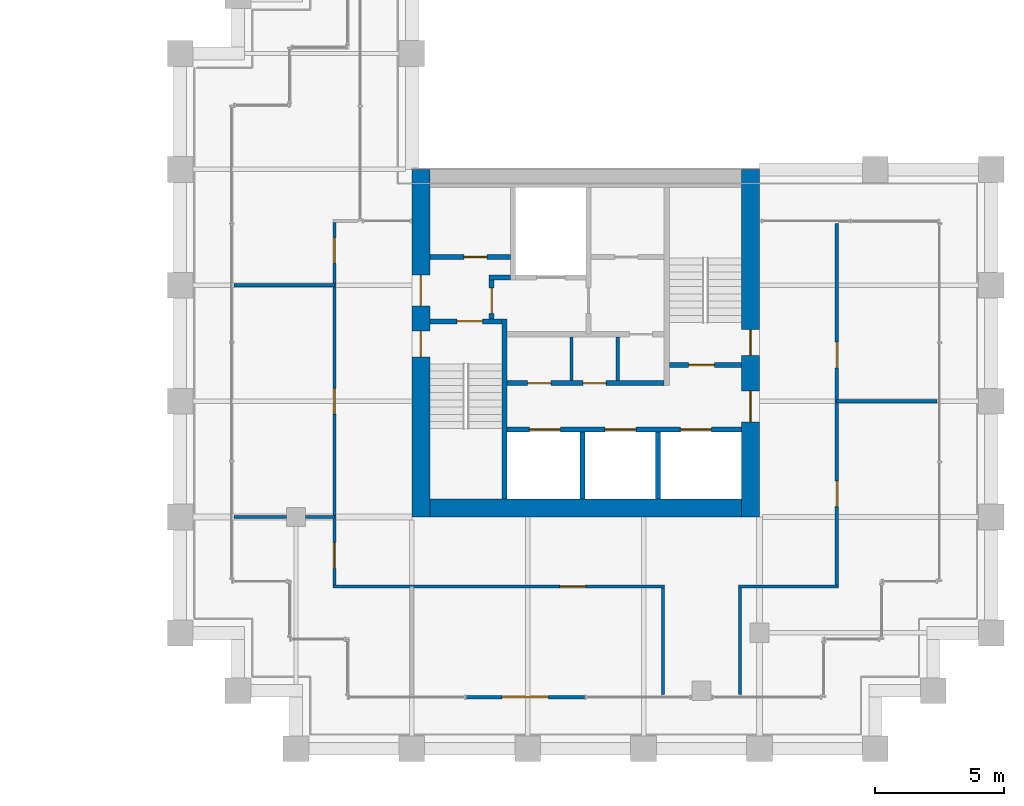
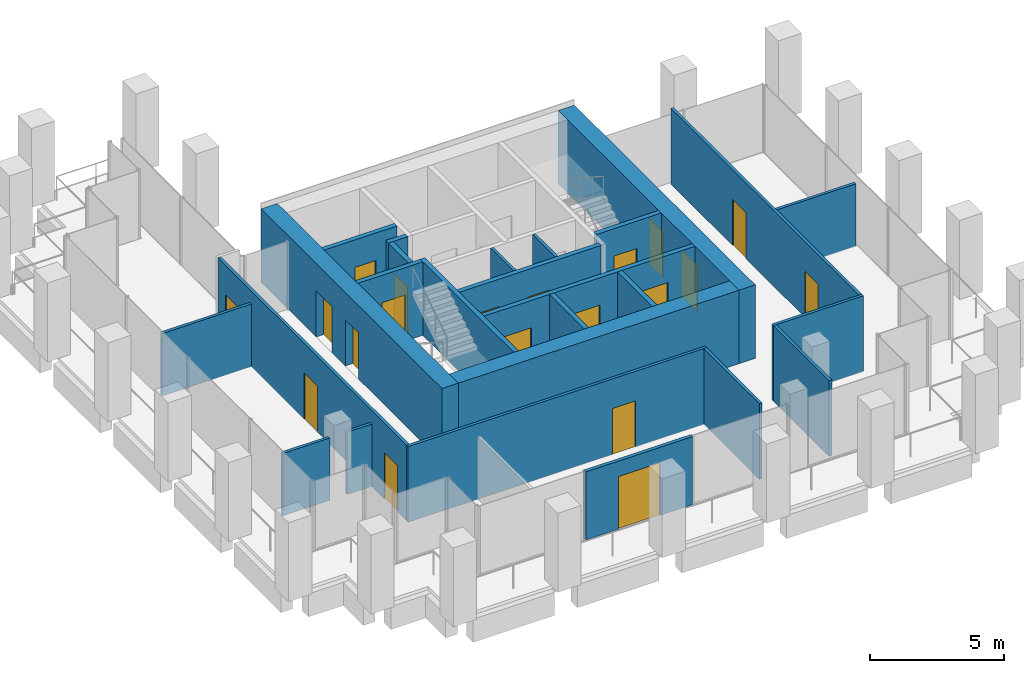
# One storey, part 43 of 46: 26 walls, 20 doors, 20 openings.
"""IFC4 building model written with IfcOpenShell, lengths in metres."""

from ifc_helpers import new_model, si_unit, direction, frame, frame_2d, origin, place, context, subcontext, project, spatial, rectangle, extrude, material, layer, layer_set, type_object, element, fill, save


model = new_model("IFC4")

# Units and contexts
model_context = context("Model", 3, precision=1e-05, world=origin(), true_north=direction((0.0, 1.0)))
body_context = subcontext(model_context, "Body", "Model", "MODEL_VIEW")
ifc_project = project(units=[si_unit("LENGTHUNIT", "METRE"), si_unit("AREAUNIT", "SQUARE_METRE"), si_unit("VOLUMEUNIT", "CUBIC_METRE"), si_unit("PLANEANGLEUNIT", "RADIAN"), si_unit("MASSUNIT", "GRAM", prefix="KILO")], contexts=[model_context])

# Site, building, storey
site_placement = place(None, origin())
site = spatial("IfcSite", under=ifc_project, at=site_placement, CompositionType="ELEMENT")
building_placement = place(site_placement, origin())
building = spatial("IfcBuilding", under=site, at=building_placement, Name="Altepetl Exchange Towers", CompositionType="ELEMENT")
storey_placement = place(building_placement, frame((0.0, 0.0, 131.60009765625)))
storey = spatial("IfcBuildingStorey", under=building, at=storey_placement, Name="L32", CompositionType="ELEMENT", Elevation=131.60009765625)

# Wall, openings, doors
ifc_material_1 = material(Name="Concrete C70/85", Category="concrete")
ifc_layer_1 = layer(ifc_material_1, 0.699951171875)
ifc_layer_set_1 = layer_set([ifc_layer_1], Name="Concrete C70/85")
wall_type_1 = type_object("IfcWallType", Name="Core wall 700 reinforced concrete", PredefinedType="SHEAR", material=ifc_layer_set_1)
wall_1_placement = place(storey_placement, frame((116.64990234375, 36.0, 0.0), z_axis=(0.0, 0.0, 1.0), x_axis=(0.0, 1.0, 0.0)))
wall_1 = element("IfcWall", 1, at=wall_1_placement, inside=storey, type_object=wall_type_1, Name="wall:B:L32:K-coreE", PredefinedType="SHEAR", context=body_context, shape_type="SweptSolid", body=[
    extrude(rectangle(XDim=13.5, YDim=0.699951171875, at=frame_2d((6.75, 0.0))), origin(), (0.0, 0.0, 1.0), 3.349853515625),
])
opening_1_placement = place(wall_1_placement, frame((3.699951171875, 0.0, 0.0)))
opening_1 = element("IfcOpeningElement", 2, at=opening_1_placement, cuts=wall_1, Name="Opening L32.B61", PredefinedType="OPENING", context=body_context, shape_type="SweptSolid", body=[
    extrude(rectangle(XDim=1.199951171875, YDim=2.10009765625, at=frame_2d((0.60009765625, 1.050048828125))), frame((0.0, 0.35986328125, 0.0), z_axis=(0.0, -1.0, 0.0), x_axis=(1.0, 0.0, 0.0)), (0.0, 0.0, 1.0), 0.719970703125),
])
opening_2_placement = place(wall_1_placement, frame((6.27490234375, 0.0, 0.0)))
opening_2 = element("IfcOpeningElement", 3, at=opening_2_placement, cuts=wall_1, Name="Opening L32.B65", PredefinedType="OPENING", context=body_context, shape_type="SweptSolid", body=[
    extrude(rectangle(XDim=1.0, YDim=2.10009765625, at=frame_2d((0.5, 1.050048828125))), frame((0.0, 0.35986328125, 0.0), z_axis=(0.0, -1.0, 0.0), x_axis=(1.0, 0.0, 0.0)), (0.0, 0.0, 1.0), 0.719970703125),
])
ifc_material_2 = material(Name="Steel and timber fire door", Category="steel")
door_type_1 = type_object("IfcDoorType", Name="Fire door 1000 x 2100 stair and lobby", OperationType="SINGLE_SWING_LEFT", PredefinedType="DOOR", material=ifc_material_2)
door_1_placement = place(opening_2_placement, origin())
door_1 = element("IfcDoor", 4, at=door_1_placement, inside=storey, type_object=door_type_1, Name="door:B:L32:K-dS2x", OperationType="SINGLE_SWING_LEFT", OverallHeight=2.10009765625, OverallWidth=1.0, PredefinedType="DOOR", context=body_context, shape_type="SweptSolid", body=[
    extrude(rectangle(XDim=1.0, YDim=2.10009765625, at=frame_2d((0.5, 1.050048828125))), frame((0.0, 0.02490234375, 0.0), z_axis=(0.0, -1.0, 0.0), x_axis=(1.0, 0.0, 0.0)), (0.0, 0.0, 1.0), 0.050048828125),
])
fill(opening_2, door_1)
door_type_2 = type_object("IfcDoorType", Name="Fire door 1200 x 2100 lobby entry", OperationType="SINGLE_SWING_LEFT", PredefinedType="DOOR", material=ifc_material_2)
door_2_placement = place(opening_1_placement, origin())
door_2 = element("IfcDoor", 5, at=door_2_placement, inside=storey, type_object=door_type_2, Name="door:B:L32:K-dLSE", OperationType="SINGLE_SWING_RIGHT", OverallHeight=2.10009765625, OverallWidth=1.199951171875, PredefinedType="DOOR", context=body_context, shape_type="SweptSolid", body=[
    extrude(rectangle(XDim=1.199951171875, YDim=2.10009765625, at=frame_2d((0.60009765625, 1.050048828125))), frame((0.0, 0.02490234375, 0.0), z_axis=(0.0, -1.0, 0.0), x_axis=(1.0, 0.0, 0.0)), (0.0, 0.0, 1.0), 0.050048828125),
])
fill(opening_1, door_2)

# Wall
wall_2_placement = place(storey_placement, frame((104.199951171875, 36.35009765625, 0.0)))
element("IfcWall", 6, at=wall_2_placement, inside=storey, type_object=wall_type_1, Name="wall:B:L32:K-coreS", PredefinedType="SHEAR", context=body_context, shape_type="SweptSolid", body=[
    extrude(rectangle(XDim=12.10009765625, YDim=0.699951171875, at=frame_2d((6.050048828125, 0.0))), origin(), (0.0, 0.0, 1.0), 3.349853515625),
])

# Wall, openings, doors
wall_3_placement = place(storey_placement, frame((103.85009765625, 36.0, 0.0), z_axis=(0.0, 0.0, 1.0), x_axis=(0.0, 1.0, 0.0)))
wall_3 = element("IfcWall", 7, at=wall_3_placement, inside=storey, type_object=wall_type_1, Name="wall:B:L32:K-coreW", PredefinedType="SHEAR", context=body_context, shape_type="SweptSolid", body=[
    extrude(rectangle(XDim=13.5, YDim=0.699951171875, at=frame_2d((6.75, 0.0))), origin(), (0.0, 0.0, 1.0), 3.349853515625),
])
opening_3_placement = place(wall_3_placement, frame((8.199951171875, 0.0, 0.0)))
opening_3 = element("IfcOpeningElement", 8, at=opening_3_placement, cuts=wall_3, Name="Opening L32.B60", PredefinedType="OPENING", context=body_context, shape_type="SweptSolid", body=[
    extrude(rectangle(XDim=1.199951171875, YDim=2.10009765625, at=frame_2d((0.60009765625, 1.050048828125))), frame((0.0, 0.35986328125, 0.0), z_axis=(0.0, -1.0, 0.0), x_axis=(1.0, 0.0, 0.0)), (0.0, 0.0, 1.0), 0.719970703125),
])
opening_4_placement = place(wall_3_placement, frame((6.22509765625, 0.0, 0.0)))
opening_4 = element("IfcOpeningElement", 9, at=opening_4_placement, cuts=wall_3, Name="Opening L32.B63", PredefinedType="OPENING", context=body_context, shape_type="SweptSolid", body=[
    extrude(rectangle(XDim=1.0, YDim=2.10009765625, at=frame_2d((0.5, 1.050048828125))), frame((0.0, 0.35986328125, 0.0), z_axis=(0.0, -1.0, 0.0), x_axis=(1.0, 0.0, 0.0)), (0.0, 0.0, 1.0), 0.719970703125),
])
door_3_placement = place(opening_4_placement, frame((1.0, 0.0, 0.0), x_axis=(-1.0, 0.0, 0.0)))
door_3 = element("IfcDoor", 10, at=door_3_placement, inside=storey, type_object=door_type_1, Name="door:B:L32:K-dS1x", OperationType="SINGLE_SWING_RIGHT", OverallHeight=2.10009765625, OverallWidth=1.0, PredefinedType="DOOR", context=body_context, shape_type="SweptSolid", body=[
    extrude(rectangle(XDim=1.0, YDim=2.10009765625, at=frame_2d((0.5, 1.050048828125))), frame((0.0, 0.02490234375, 0.0), z_axis=(0.0, -1.0, 0.0), x_axis=(1.0, 0.0, 0.0)), (0.0, 0.0, 1.0), 0.050048828125),
])
fill(opening_4, door_3)
door_4_placement = place(opening_3_placement, frame((1.199951171875, 0.0, 0.0), x_axis=(-1.0, 0.0, 0.0)))
door_4 = element("IfcDoor", 11, at=door_4_placement, inside=storey, type_object=door_type_2, Name="door:B:L32:K-dLNW", OperationType="SINGLE_SWING_RIGHT", OverallHeight=2.10009765625, OverallWidth=1.199951171875, PredefinedType="DOOR", context=body_context, shape_type="SweptSolid", body=[
    extrude(rectangle(XDim=1.199951171875, YDim=2.10009765625, at=frame_2d((0.60009765625, 1.050048828125))), frame((0.0, 0.02490234375, 0.0), z_axis=(0.0, -1.0, 0.0), x_axis=(1.0, 0.0, 0.0)), (0.0, 0.0, 1.0), 0.050048828125),
])
fill(opening_3, door_4)

# Wall, opening, door
ifc_material_3 = material(Name="Aluminium composite cladding", Category="aluminium")
ifc_layer_2 = layer(ifc_material_3, 0.14990234375)
ifc_layer_set_2 = layer_set([ifc_layer_2], Name="Aluminium composite cladding")
wall_type_2 = type_object("IfcWallType", Name="Infill wall 150 aluminium panel", PredefinedType="SOLIDWALL", material=ifc_layer_set_2)
wall_4_placement = place(storey_placement, frame((105.606201171875, 29.0, 0.0)))
wall_4 = element("IfcWall", 12, at=wall_4_placement, inside=storey, type_object=wall_type_2, Name="Loggia door bay wall", PredefinedType="SOLIDWALL", context=body_context, shape_type="SweptSolid", body=[
    extrude(rectangle(XDim=4.606201171875, YDim=0.14990234375, at=frame_2d((2.30322265625, 0.0))), origin(), (0.0, 0.0, 1.0), 3.099853515625),
])
opening_5_placement = place(wall_4_placement, frame((1.403076171875, 0.0, 0.0)))
opening_5 = element("IfcOpeningElement", 13, at=opening_5_placement, cuts=wall_4, Name="Opening L32.B90", PredefinedType="OPENING", context=body_context, shape_type="SweptSolid", body=[
    extrude(rectangle(XDim=1.800048828125, YDim=2.39990234375, at=frame_2d((0.89990234375, 1.199951171875))), frame((0.0, 0.0849609375, 0.0), z_axis=(0.0, -1.0, 0.0), x_axis=(1.0, 0.0, 0.0)), (0.0, 0.0, 1.0), 0.169921875),
])
ifc_material_4 = material(Name="Aluminium 6063-T6 and glass", Category="aluminium")
door_type_3 = type_object("IfcDoorType", Name="Glazed door pair 1800x2400", OperationType="DOUBLE_DOOR_DOUBLE_SWING", PredefinedType="NOTDEFINED", material=ifc_material_4)
door_5_placement = place(opening_5_placement, frame((1.800048828125, 0.0, 0.0), x_axis=(-1.0, 0.0, 0.0)))
door_5 = element("IfcDoor", 14, at=door_5_placement, inside=storey, type_object=door_type_3, Name="Loggia door", OperationType="DOUBLE_DOOR_DOUBLE_SWING", OverallHeight=2.39990234375, OverallWidth=1.800048828125, PredefinedType="NOTDEFINED", context=body_context, shape_type="SweptSolid", body=[
    extrude(rectangle(XDim=1.800048828125, YDim=2.39990234375, at=frame_2d((0.89990234375, 1.199951171875))), frame((0.0, 0.02490234375, 0.0), z_axis=(0.0, -1.0, 0.0), x_axis=(1.0, 0.0, 0.0)), (0.0, 0.0, 1.0), 0.050048828125),
])
fill(opening_5, door_5)

# Wall
ifc_material_5 = material(Name="Concrete blockwork", Category="masonry")
ifc_layer_3 = layer(ifc_material_5, 0.199951171875)
ifc_layer_set_3 = layer_set([ifc_layer_3], Name="Concrete blockwork")
wall_type_3 = type_object("IfcWallType", Name="Lobby wall 200 blockwork", PredefinedType="PARTITIONING", material=ifc_layer_set_3)
wall_5_placement = place(storey_placement, frame((106.5, 45.300048828125, 0.0)))
element("IfcWall", 15, at=wall_5_placement, inside=storey, type_object=wall_type_3, Name="wall:B:L32:K-ffNw", PredefinedType="PARTITIONING", context=body_context, shape_type="SweptSolid", body=[
    extrude(rectangle(XDim=0.833251953125, YDim=0.199951171875, at=frame_2d((0.41650390625, 0.0))), origin(), (0.0, 0.0, 1.0), 3.349853515625),
])

# Wall, opening, door
wall_6_placement = place(storey_placement, frame((106.60009765625, 43.699951171875, 0.0), z_axis=(0.0, 0.0, 1.0), x_axis=(0.0, 1.0, 0.0)))
wall_6 = element("IfcWall", 16, at=wall_6_placement, inside=storey, type_object=wall_type_3, Name="wall:B:L32:K-ffW", PredefinedType="PARTITIONING", context=body_context, shape_type="SweptSolid", body=[
    extrude(rectangle(XDim=1.5, YDim=0.199951171875, at=frame_2d((0.75, 0.0))), origin(), (0.0, 0.0, 1.0), 3.349853515625),
])
opening_6_placement = place(wall_6_placement, frame((0.199951171875, 0.0, 0.0)))
opening_6 = element("IfcOpeningElement", 17, at=opening_6_placement, cuts=wall_6, Name="Opening L32.B67", PredefinedType="OPENING", context=body_context, shape_type="SweptSolid", body=[
    extrude(rectangle(XDim=1.0, YDim=2.10009765625, at=frame_2d((0.5, 1.050048828125))), frame((0.0, 0.10986328125, 0.0), z_axis=(0.0, -1.0, 0.0), x_axis=(1.0, 0.0, 0.0)), (0.0, 0.0, 1.0), 0.219970703125),
])
door_6_placement = place(opening_6_placement, frame((1.0, 0.0, 0.0), x_axis=(-1.0, 0.0, 0.0)))
door_6 = element("IfcDoor", 18, at=door_6_placement, inside=storey, type_object=door_type_1, Name="door:B:L32:K-dffW", OperationType="SINGLE_SWING_LEFT", OverallHeight=2.10009765625, OverallWidth=1.0, PredefinedType="DOOR", context=body_context, shape_type="SweptSolid", body=[
    extrude(rectangle(XDim=1.0, YDim=2.10009765625, at=frame_2d((0.5, 1.050048828125))), frame((0.0, 0.02490234375, 0.0), z_axis=(0.0, -1.0, 0.0), x_axis=(1.0, 0.0, 0.0)), (0.0, 0.0, 1.0), 0.050048828125),
])
fill(opening_6, door_6)

# Wall, openings, doors
wall_7_placement = place(storey_placement, frame((107.199951171875, 41.199951171875, 0.0)))
wall_7 = element("IfcWall", 19, at=wall_7_placement, inside=storey, type_object=wall_type_3, Name="wall:B:L32:K-zoneS", PredefinedType="PARTITIONING", context=body_context, shape_type="SweptSolid", body=[
    extrude(rectangle(XDim=6.10009765625, YDim=0.199951171875, at=frame_2d((3.050048828125, 0.0))), origin(), (0.0, 0.0, 1.0), 3.349853515625),
])
opening_7_placement = place(wall_7_placement, frame((0.800048828125, 0.0, 0.0)))
opening_7 = element("IfcOpeningElement", 20, at=opening_7_placement, cuts=wall_7, Name="Opening L32.B70", PredefinedType="OPENING", context=body_context, shape_type="SweptSolid", body=[
    extrude(rectangle(XDim=0.89990234375, YDim=2.10009765625, at=frame_2d((0.449951171875, 1.050048828125))), frame((0.0, 0.10986328125, 0.0), z_axis=(0.0, -1.0, 0.0), x_axis=(1.0, 0.0, 0.0)), (0.0, 0.0, 1.0), 0.219970703125),
])
opening_8_placement = place(wall_7_placement, frame((2.949951171875, 0.0, 0.0)))
opening_8 = element("IfcOpeningElement", 21, at=opening_8_placement, cuts=wall_7, Name="Opening L32.B71", PredefinedType="OPENING", context=body_context, shape_type="SweptSolid", body=[
    extrude(rectangle(XDim=0.89990234375, YDim=2.10009765625, at=frame_2d((0.449951171875, 1.050048828125))), frame((0.0, 0.10986328125, 0.0), z_axis=(0.0, -1.0, 0.0), x_axis=(1.0, 0.0, 0.0)), (0.0, 0.0, 1.0), 0.219970703125),
])
door_type_4 = type_object("IfcDoorType", Name="Fire door 900 x 2100 service room", OperationType="SINGLE_SWING_LEFT", PredefinedType="DOOR", material=ifc_material_2)
door_7_placement = place(opening_7_placement, origin())
door_7 = element("IfcDoor", 22, at=door_7_placement, inside=storey, type_object=door_type_4, Name="door:B:L32:K-dz1", OperationType="SINGLE_SWING_RIGHT", OverallHeight=2.10009765625, OverallWidth=0.89990234375, PredefinedType="DOOR", context=body_context, shape_type="SweptSolid", body=[
    extrude(rectangle(XDim=0.89990234375, YDim=2.10009765625, at=frame_2d((0.449951171875, 1.050048828125))), frame((0.0, 0.02490234375, 0.0), z_axis=(0.0, -1.0, 0.0), x_axis=(1.0, 0.0, 0.0)), (0.0, 0.0, 1.0), 0.050048828125),
])
fill(opening_7, door_7)
door_8_placement = place(opening_8_placement, origin())
door_8 = element("IfcDoor", 23, at=door_8_placement, inside=storey, type_object=door_type_4, Name="door:B:L32:K-dz2", OperationType="SINGLE_SWING_RIGHT", OverallHeight=2.10009765625, OverallWidth=0.89990234375, PredefinedType="DOOR", context=body_context, shape_type="SweptSolid", body=[
    extrude(rectangle(XDim=0.89990234375, YDim=2.10009765625, at=frame_2d((0.449951171875, 1.050048828125))), frame((0.0, 0.02490234375, 0.0), z_axis=(0.0, -1.0, 0.0), x_axis=(1.0, 0.0, 0.0)), (0.0, 0.0, 1.0), 0.050048828125),
])
fill(opening_8, door_8)

# Walls
ifc_material_6 = material(Name="Gypsum board on steel studs", Category="steel")
ifc_layer_4 = layer(ifc_material_6, 0.125)
ifc_layer_set_4 = layer_set([ifc_layer_4], Name="Gypsum board on steel studs")
wall_type_4 = type_object("IfcWallType", Name="Partition 125 gypsum board on steel studs", PredefinedType="PARTITIONING", material=ifc_layer_set_4)
for number, where, z_axis, x_axis, name in (
    (24, (109.699951171875, 41.300048828125, 0.0), (0.0, 0.0, 1.0), (0.0, 1.0, 0.0), "wall:B:L32:K-zp1"),
    (25, (111.5, 41.300048828125, 0.0), (0.0, 0.0, 1.0), (0.0, 1.0, 0.0), "wall:B:L32:K-zp2"),
):
    element("IfcWall", number, at=place(storey_placement, frame(where, z_axis=z_axis, x_axis=x_axis)), inside=storey, type_object=wall_type_4, Name=name, PredefinedType="PARTITIONING", context=body_context, shape_type="SweptSolid", body=[
        extrude(rectangle(XDim=1.699951171875, YDim=0.125, at=frame_2d((0.85009765625, 0.0))), origin(), (0.0, 0.0, 1.0), 3.349853515625),
    ])

# Wall, opening, door
wall_8_placement = place(storey_placement, frame((100.4375, 33.300048828125, 0.0)))
wall_8 = element("IfcWall", 26, at=wall_8_placement, inside=storey, type_object=wall_type_4, Name="wall:B:L32:P01", PredefinedType="PARTITIONING", context=body_context, shape_type="SweptSolid", body=[
    extrude(rectangle(XDim=12.875, YDim=0.125, at=frame_2d((6.4375, 0.0))), origin(), (0.0, 0.0, 1.0), 3.449951171875),
])
opening_9_placement = place(wall_8_placement, frame((8.8115234375, 0.0, 0.0)))
opening_9 = element("IfcOpeningElement", 27, at=opening_9_placement, cuts=wall_8, Name="Opening L32.B03", PredefinedType="OPENING", context=body_context, shape_type="SweptSolid", body=[
    extrude(rectangle(XDim=1.0, YDim=2.10009765625, at=frame_2d((0.5, 1.050048828125))), frame((0.0, 0.072509765625, 0.0), z_axis=(0.0, -1.0, 0.0), x_axis=(1.0, 0.0, 0.0)), (0.0, 0.0, 1.0), 0.14501953125),
])
door_type_5 = type_object("IfcDoorType", Name="Fire door 1000 x 2100 single leaf", OperationType="SINGLE_SWING_LEFT", PredefinedType="DOOR", material=ifc_material_2)
door_9_placement = place(opening_9_placement, frame((1.0, 0.0, 0.0), x_axis=(-1.0, 0.0, 0.0)))
door_9 = element("IfcDoor", 28, at=door_9_placement, inside=storey, type_object=door_type_5, Name="door:B:L32:03", OperationType="SINGLE_SWING_LEFT", OverallHeight=2.10009765625, OverallWidth=1.0, PredefinedType="DOOR", context=body_context, shape_type="SweptSolid", body=[
    extrude(rectangle(XDim=1.0, YDim=2.10009765625, at=frame_2d((0.5, 1.050048828125))), frame((0.0, 0.02490234375, 0.0), z_axis=(0.0, -1.0, 0.0), x_axis=(1.0, 0.0, 0.0)), (0.0, 0.0, 1.0), 0.050048828125),
])
fill(opening_9, door_9)

# Walls
wall_9_placement = place(storey_placement, frame((116.1875, 33.300048828125, 0.0)))
element("IfcWall", 29, at=wall_9_placement, inside=storey, type_object=wall_type_4, Name="wall:B:L32:P02", PredefinedType="PARTITIONING", context=body_context, shape_type="SweptSolid", body=[
    extrude(rectangle(XDim=3.875, YDim=0.125, at=frame_2d((1.9375, 0.0))), origin(), (0.0, 0.0, 1.0), 3.449951171875),
])
wall_10_placement = place(storey_placement, frame((96.60009765625, 36.0, 0.0)))
element("IfcWall", 30, at=wall_10_placement, inside=storey, type_object=wall_type_4, Name="wall:B:L32:P03", PredefinedType="PARTITIONING", context=body_context, shape_type="SweptSolid", body=[
    extrude(rectangle(XDim=2.02490234375, YDim=0.125, at=frame_2d((1.012451171875, 0.0))), origin(), (0.0, 0.0, 1.0), 2.841796875),
])
wall_11_placement = place(storey_placement, frame((99.375, 36.0, 0.0)))
element("IfcWall", 31, at=wall_11_placement, inside=storey, type_object=wall_type_4, Name="wall:B:L32:P04", PredefinedType="PARTITIONING", context=body_context, shape_type="SweptSolid", body=[
    extrude(rectangle(XDim=1.125, YDim=0.125, at=frame_2d((0.5625, 0.0))), origin(), (0.0, 0.0, 1.0), 2.841796875),
])
for number, where, name in (
    (32, (120.0, 40.5, 0.0), "wall:B:L32:P05"),
    (33, (96.60009765625, 45.0, 0.0), "wall:B:L32:P06"),
):
    element("IfcWall", number, at=place(storey_placement, frame(where)), inside=storey, type_object=wall_type_4, Name=name, PredefinedType="PARTITIONING", context=body_context, shape_type="SweptSolid", body=[
        extrude(rectangle(XDim=3.89990234375, YDim=0.125, at=frame_2d((1.949951171875, 0.0))), origin(), (0.0, 0.0, 1.0), 2.850830078125),
    ])

# Wall, openings, doors
wall_12_placement = place(storey_placement, frame((100.5, 33.362548828125, 0.0), z_axis=(0.0, 0.0, 1.0), x_axis=(0.0, 1.0, 0.0)))
wall_12 = element("IfcWall", 34, at=wall_12_placement, inside=storey, type_object=wall_type_4, Name="wall:B:L32:P08", PredefinedType="PARTITIONING", context=body_context, shape_type="SweptSolid", body=[
    extrude(rectangle(XDim=14.074951171875, YDim=0.125, at=frame_2d((7.03759765625, 0.0))), origin(), (0.0, 0.0, 1.0), 3.449951171875),
])
opening_10_placement = place(wall_12_placement, frame((6.637451171875, 0.0, 0.0)))
opening_10 = element("IfcOpeningElement", 35, at=opening_10_placement, cuts=wall_12, Name="Opening L32.B01", PredefinedType="OPENING", context=body_context, shape_type="SweptSolid", body=[
    extrude(rectangle(XDim=1.0, YDim=2.10009765625, at=frame_2d((0.5, 1.050048828125))), frame((0.0, 0.072509765625, 0.0), z_axis=(0.0, -1.0, 0.0), x_axis=(1.0, 0.0, 0.0)), (0.0, 0.0, 1.0), 0.14501953125),
])
opening_11_placement = place(wall_12_placement, frame((0.6474609375, 0.0, 0.0)))
opening_11 = element("IfcOpeningElement", 36, at=opening_11_placement, cuts=wall_12, Name="Opening L32.B02", PredefinedType="OPENING", context=body_context, shape_type="SweptSolid", body=[
    extrude(rectangle(XDim=1.0, YDim=2.10009765625, at=frame_2d((0.5, 1.050048828125))), frame((0.0, 0.072509765625, 0.0), z_axis=(0.0, -1.0, 0.0), x_axis=(1.0, 0.0, 0.0)), (0.0, 0.0, 1.0), 0.14501953125),
])
opening_12_placement = place(wall_12_placement, frame((12.492431640625, 0.0, 0.0)))
opening_12 = element("IfcOpeningElement", 37, at=opening_12_placement, cuts=wall_12, Name="Opening L32.B06", PredefinedType="OPENING", context=body_context, shape_type="SweptSolid", body=[
    extrude(rectangle(XDim=1.0, YDim=2.10009765625, at=frame_2d((0.5, 1.050048828125))), frame((0.0, 0.072509765625, 0.0), z_axis=(0.0, -1.0, 0.0), x_axis=(1.0, 0.0, 0.0)), (0.0, 0.0, 1.0), 0.14501953125),
])
door_10_placement = place(opening_10_placement, origin())
door_10 = element("IfcDoor", 38, at=door_10_placement, inside=storey, type_object=door_type_5, Name="door:B:L32:01", OperationType="SINGLE_SWING_LEFT", OverallHeight=2.10009765625, OverallWidth=1.0, PredefinedType="DOOR", context=body_context, shape_type="SweptSolid", body=[
    extrude(rectangle(XDim=1.0, YDim=2.10009765625, at=frame_2d((0.5, 1.050048828125))), frame((0.0, 0.02490234375, 0.0), z_axis=(0.0, -1.0, 0.0), x_axis=(1.0, 0.0, 0.0)), (0.0, 0.0, 1.0), 0.050048828125),
])
fill(opening_10, door_10)
door_11_placement = place(opening_11_placement, frame((1.0, 0.0, 0.0), x_axis=(-1.0, 0.0, 0.0)))
door_11 = element("IfcDoor", 39, at=door_11_placement, inside=storey, type_object=door_type_5, Name="door:B:L32:02", OperationType="SINGLE_SWING_RIGHT", OverallHeight=2.10009765625, OverallWidth=1.0, PredefinedType="DOOR", context=body_context, shape_type="SweptSolid", body=[
    extrude(rectangle(XDim=1.0, YDim=2.10009765625, at=frame_2d((0.5, 1.050048828125))), frame((0.0, 0.02490234375, 0.0), z_axis=(0.0, -1.0, 0.0), x_axis=(1.0, 0.0, 0.0)), (0.0, 0.0, 1.0), 0.050048828125),
])
fill(opening_11, door_11)
door_12_placement = place(opening_12_placement, origin())
door_12 = element("IfcDoor", 40, at=door_12_placement, inside=storey, type_object=door_type_5, Name="door:B:L32:06", OperationType="SINGLE_SWING_LEFT", OverallHeight=2.10009765625, OverallWidth=1.0, PredefinedType="DOOR", context=body_context, shape_type="SweptSolid", body=[
    extrude(rectangle(XDim=1.0, YDim=2.10009765625, at=frame_2d((0.5, 1.050048828125))), frame((0.0, 0.02490234375, 0.0), z_axis=(0.0, -1.0, 0.0), x_axis=(1.0, 0.0, 0.0)), (0.0, 0.0, 1.0), 0.050048828125),
])
fill(opening_12, door_12)

# Walls
for number, where, z_axis, x_axis, name in (
    (41, (113.25, 29.10009765625, 0.0), (0.0, 0.0, 1.0), (0.0, 1.0, 0.0), "wall:B:L32:P10"),
    (42, (116.25, 29.10009765625, 0.0), (0.0, 0.0, 1.0), (0.0, 1.0, 0.0), "wall:B:L32:P11"),
):
    element("IfcWall", number, at=place(storey_placement, frame(where, z_axis=z_axis, x_axis=x_axis)), inside=storey, type_object=wall_type_4, Name=name, PredefinedType="PARTITIONING", context=body_context, shape_type="SweptSolid", body=[
        extrude(rectangle(XDim=4.137451171875, YDim=0.125, at=frame_2d((2.06884765625, 0.0))), origin(), (0.0, 0.0, 1.0), 3.449951171875),
    ])

# Wall, openings, doors
wall_13_placement = place(storey_placement, frame((120.0, 33.362548828125, 0.0), z_axis=(0.0, 0.0, 1.0), x_axis=(0.0, 1.0, 0.0)))
wall_13 = element("IfcWall", 43, at=wall_13_placement, inside=storey, type_object=wall_type_4, Name="wall:B:L32:P12", PredefinedType="PARTITIONING", context=body_context, shape_type="SweptSolid", body=[
    extrude(rectangle(XDim=14.037353515625, YDim=0.125, at=frame_2d((7.0185546875, 0.0))), origin(), (0.0, 0.0, 1.0), 3.449951171875),
])
opening_13_placement = place(wall_13_placement, frame((3.03759765625, 0.0, 0.0)))
opening_13 = element("IfcOpeningElement", 44, at=opening_13_placement, cuts=wall_13, Name="Opening L32.B04", PredefinedType="OPENING", context=body_context, shape_type="SweptSolid", body=[
    extrude(rectangle(XDim=1.0, YDim=2.10009765625, at=frame_2d((0.5, 1.050048828125))), frame((0.0, 0.072509765625, 0.0), z_axis=(0.0, -1.0, 0.0), x_axis=(1.0, 0.0, 0.0)), (0.0, 0.0, 1.0), 0.14501953125),
])
opening_14_placement = place(wall_13_placement, frame((8.4326171875, 0.0, 0.0)))
opening_14 = element("IfcOpeningElement", 45, at=opening_14_placement, cuts=wall_13, Name="Opening L32.B05", PredefinedType="OPENING", context=body_context, shape_type="SweptSolid", body=[
    extrude(rectangle(XDim=1.0, YDim=2.10009765625, at=frame_2d((0.5, 1.050048828125))), frame((0.0, 0.072509765625, 0.0), z_axis=(0.0, -1.0, 0.0), x_axis=(1.0, 0.0, 0.0)), (0.0, 0.0, 1.0), 0.14501953125),
])
door_13_placement = place(opening_13_placement, frame((1.0, 0.0, 0.0), x_axis=(-1.0, 0.0, 0.0)))
door_13 = element("IfcDoor", 46, at=door_13_placement, inside=storey, type_object=door_type_5, Name="door:B:L32:04", OperationType="SINGLE_SWING_LEFT", OverallHeight=2.10009765625, OverallWidth=1.0, PredefinedType="DOOR", context=body_context, shape_type="SweptSolid", body=[
    extrude(rectangle(XDim=1.0, YDim=2.10009765625, at=frame_2d((0.5, 1.050048828125))), frame((0.0, 0.02490234375, 0.0), z_axis=(0.0, -1.0, 0.0), x_axis=(1.0, 0.0, 0.0)), (0.0, 0.0, 1.0), 0.050048828125),
])
fill(opening_13, door_13)
door_14_placement = place(opening_14_placement, frame((1.0, 0.0, 0.0), x_axis=(-1.0, 0.0, 0.0)))
door_14 = element("IfcDoor", 47, at=door_14_placement, inside=storey, type_object=door_type_5, Name="door:B:L32:05", OperationType="SINGLE_SWING_LEFT", OverallHeight=2.10009765625, OverallWidth=1.0, PredefinedType="DOOR", context=body_context, shape_type="SweptSolid", body=[
    extrude(rectangle(XDim=1.0, YDim=2.10009765625, at=frame_2d((0.5, 1.050048828125))), frame((0.0, 0.02490234375, 0.0), z_axis=(0.0, -1.0, 0.0), x_axis=(1.0, 0.0, 0.0)), (0.0, 0.0, 1.0), 0.050048828125),
])
fill(opening_14, door_14)

# Walls
ifc_material_7 = material(Name="Concrete C40/50", Category="concrete")
ifc_layer_5 = layer(ifc_material_7, 0.199951171875)
ifc_layer_set_5 = layer_set([ifc_layer_5], Name="Concrete C40/50")
wall_type_5 = type_object("IfcWallType", Name="Shaft wall 200 reinforced concrete", PredefinedType="SHEAR", material=ifc_layer_set_5)
for number, where, z_axis, x_axis, name in (
    (48, (110.13330078125, 36.699951171875, 0.0), (0.0, 0.0, 1.0), (0.0, 1.0, 0.0), "wall:B:L32:K-divS1"),
    (49, (113.066650390625, 36.699951171875, 0.0), (0.0, 0.0, 1.0), (0.0, 1.0, 0.0), "wall:B:L32:K-divS2"),
):
    element("IfcWall", number, at=place(storey_placement, frame(where, z_axis=z_axis, x_axis=x_axis)), inside=storey, type_object=wall_type_5, Name=name, PredefinedType="SHEAR", context=body_context, shape_type="SweptSolid", body=[
        extrude(rectangle(XDim=2.60009765625, YDim=0.199951171875, at=frame_2d((1.300048828125, 0.0))), origin(), (0.0, 0.0, 1.0), 3.349853515625),
    ])

# Wall, opening, door
wall_14_placement = place(storey_placement, frame((104.199951171875, 46.10009765625, 0.0)))
wall_14 = element("IfcWall", 50, at=wall_14_placement, inside=storey, type_object=wall_type_5, Name="wall:B:L32:K-frontNa", PredefinedType="SHEAR", context=body_context, shape_type="SweptSolid", body=[
    extrude(rectangle(XDim=3.13330078125, YDim=0.199951171875, at=frame_2d((1.566650390625, 0.0))), origin(), (0.0, 0.0, 1.0), 3.349853515625),
])
opening_15_placement = place(wall_14_placement, frame((1.316650390625, 0.0, 0.0)))
opening_15 = element("IfcOpeningElement", 51, at=opening_15_placement, cuts=wall_14, Name="Opening L32.B68", PredefinedType="OPENING", context=body_context, shape_type="SweptSolid", body=[
    extrude(rectangle(XDim=0.89990234375, YDim=2.10009765625, at=frame_2d((0.449951171875, 1.050048828125))), frame((0.0, 0.10986328125, 0.0), z_axis=(0.0, -1.0, 0.0), x_axis=(1.0, 0.0, 0.0)), (0.0, 0.0, 1.0), 0.219970703125),
])
door_15_placement = place(opening_15_placement, origin())
door_15 = element("IfcDoor", 52, at=door_15_placement, inside=storey, type_object=door_type_4, Name="door:B:L32:K-dslotN0", OperationType="SINGLE_SWING_RIGHT", OverallHeight=2.10009765625, OverallWidth=0.89990234375, PredefinedType="DOOR", context=body_context, shape_type="SweptSolid", body=[
    extrude(rectangle(XDim=0.89990234375, YDim=2.10009765625, at=frame_2d((0.449951171875, 1.050048828125))), frame((0.0, 0.02490234375, 0.0), z_axis=(0.0, -1.0, 0.0), x_axis=(1.0, 0.0, 0.0)), (0.0, 0.0, 1.0), 0.050048828125),
])
fill(opening_15, door_15)

# Wall, openings, doors
wall_15_placement = place(storey_placement, frame((107.199951171875, 39.39990234375, 0.0)))
wall_15 = element("IfcWall", 53, at=wall_15_placement, inside=storey, type_object=wall_type_5, Name="wall:B:L32:K-frontS", PredefinedType="SHEAR", context=body_context, shape_type="SweptSolid", body=[
    extrude(rectangle(XDim=9.10009765625, YDim=0.199951171875, at=frame_2d((4.550048828125, 0.0))), origin(), (0.0, 0.0, 1.0), 3.349853515625),
])
opening_16_placement = place(wall_15_placement, frame((0.86669921875, 0.0, 0.0)))
opening_16 = element("IfcOpeningElement", 54, at=opening_16_placement, cuts=wall_15, Name="Opening L32.B74", PredefinedType="OPENING", context=body_context, shape_type="SweptSolid", body=[
    extrude(rectangle(XDim=1.199951171875, YDim=2.10009765625, at=frame_2d((0.60009765625, 1.050048828125))), frame((0.0, 0.10986328125, 0.0), z_axis=(0.0, -1.0, 0.0), x_axis=(1.0, 0.0, 0.0)), (0.0, 0.0, 1.0), 0.219970703125),
])
opening_17_placement = place(wall_15_placement, frame((3.800048828125, 0.0, 0.0)))
opening_17 = element("IfcOpeningElement", 55, at=opening_17_placement, cuts=wall_15, Name="Opening L32.B75", PredefinedType="OPENING", context=body_context, shape_type="SweptSolid", body=[
    extrude(rectangle(XDim=1.199951171875, YDim=2.10009765625, at=frame_2d((0.60009765625, 1.050048828125))), frame((0.0, 0.10986328125, 0.0), z_axis=(0.0, -1.0, 0.0), x_axis=(1.0, 0.0, 0.0)), (0.0, 0.0, 1.0), 0.219970703125),
])
opening_18_placement = place(wall_15_placement, frame((6.7333984375, 0.0, 0.0)))
opening_18 = element("IfcOpeningElement", 56, at=opening_18_placement, cuts=wall_15, Name="Opening L32.B76", PredefinedType="OPENING", context=body_context, shape_type="SweptSolid", body=[
    extrude(rectangle(XDim=1.199951171875, YDim=2.10009765625, at=frame_2d((0.60009765625, 1.050048828125))), frame((0.0, 0.10986328125, 0.0), z_axis=(0.0, -1.0, 0.0), x_axis=(1.0, 0.0, 0.0)), (0.0, 0.0, 1.0), 0.219970703125),
])
ifc_material_8 = material(Name="Stainless steel", Category="steel")
door_type_6 = type_object("IfcDoorType", Name="Lift landing door 1200 x 2100", OperationType="SLIDING_TO_LEFT", PredefinedType="DOOR", material=ifc_material_8)
door_16_placement = place(opening_16_placement, origin())
door_16 = element("IfcDoor", 57, at=door_16_placement, inside=storey, type_object=door_type_6, Name="Landing door P1", OperationType="SLIDING_TO_LEFT", OverallHeight=2.10009765625, OverallWidth=1.199951171875, PredefinedType="DOOR", context=body_context, shape_type="SweptSolid", body=[
    extrude(rectangle(XDim=1.199951171875, YDim=2.10009765625, at=frame_2d((0.60009765625, 1.050048828125))), frame((0.0, 0.02490234375, 0.0), z_axis=(0.0, -1.0, 0.0), x_axis=(1.0, 0.0, 0.0)), (0.0, 0.0, 1.0), 0.050048828125),
])
fill(opening_16, door_16)
door_17_placement = place(opening_17_placement, origin())
door_17 = element("IfcDoor", 58, at=door_17_placement, inside=storey, type_object=door_type_6, Name="Landing door P2", OperationType="SLIDING_TO_LEFT", OverallHeight=2.10009765625, OverallWidth=1.199951171875, PredefinedType="DOOR", context=body_context, shape_type="SweptSolid", body=[
    extrude(rectangle(XDim=1.199951171875, YDim=2.10009765625, at=frame_2d((0.60009765625, 1.050048828125))), frame((0.0, 0.02490234375, 0.0), z_axis=(0.0, -1.0, 0.0), x_axis=(1.0, 0.0, 0.0)), (0.0, 0.0, 1.0), 0.050048828125),
])
fill(opening_17, door_17)
door_18_placement = place(opening_18_placement, origin())
door_18 = element("IfcDoor", 59, at=door_18_placement, inside=storey, type_object=door_type_6, Name="Landing door P3", OperationType="SLIDING_TO_LEFT", OverallHeight=2.10009765625, OverallWidth=1.199951171875, PredefinedType="DOOR", context=body_context, shape_type="SweptSolid", body=[
    extrude(rectangle(XDim=1.199951171875, YDim=2.10009765625, at=frame_2d((0.60009765625, 1.050048828125))), frame((0.0, 0.02490234375, 0.0), z_axis=(0.0, -1.0, 0.0), x_axis=(1.0, 0.0, 0.0)), (0.0, 0.0, 1.0), 0.050048828125),
])
fill(opening_18, door_18)

# Wall
ifc_layer_6 = layer(ifc_material_7, 0.199951171875)
ifc_layer_set_6 = layer_set([ifc_layer_6], Name="Concrete C40/50")
wall_type_6 = type_object("IfcWallType", Name="Stair wall 200 reinforced concrete", PredefinedType="SHEAR", material=ifc_layer_set_6)
wall_16_placement = place(storey_placement, frame((107.10009765625, 36.699951171875, 0.0), z_axis=(0.0, 0.0, 1.0), x_axis=(0.0, 1.0, 0.0)))
element("IfcWall", 60, at=wall_16_placement, inside=storey, type_object=wall_type_6, Name="wall:B:L32:K-stS1E", PredefinedType="SHEAR", context=body_context, shape_type="SweptSolid", body=[
    extrude(rectangle(XDim=7.0, YDim=0.199951171875, at=frame_2d((3.5, 0.0))), origin(), (0.0, 0.0, 1.0), 3.349853515625),
])

# Wall, opening, door
wall_17_placement = place(storey_placement, frame((104.199951171875, 43.60009765625, 0.0)))
wall_17 = element("IfcWall", 61, at=wall_17_placement, inside=storey, type_object=wall_type_6, Name="wall:B:L32:K-stS1N", PredefinedType="SHEAR", context=body_context, shape_type="SweptSolid", body=[
    extrude(rectangle(XDim=2.800048828125, YDim=0.199951171875, at=frame_2d((1.39990234375, 0.0))), origin(), (0.0, 0.0, 1.0), 3.349853515625),
])
opening_19_placement = place(wall_17_placement, frame((1.050048828125, 0.0, 0.0)))
opening_19 = element("IfcOpeningElement", 62, at=opening_19_placement, cuts=wall_17, Name="Opening L32.B62", PredefinedType="OPENING", context=body_context, shape_type="SweptSolid", body=[
    extrude(rectangle(XDim=1.0, YDim=2.10009765625, at=frame_2d((0.5, 1.050048828125))), frame((0.0, 0.10986328125, 0.0), z_axis=(0.0, -1.0, 0.0), x_axis=(1.0, 0.0, 0.0)), (0.0, 0.0, 1.0), 0.219970703125),
])
door_19_placement = place(opening_19_placement, frame((1.0, 0.0, 0.0), x_axis=(-1.0, 0.0, 0.0)))
door_19 = element("IfcDoor", 63, at=door_19_placement, inside=storey, type_object=door_type_1, Name="door:B:L32:K-dS1in", OperationType="SINGLE_SWING_LEFT", OverallHeight=2.10009765625, OverallWidth=1.0, PredefinedType="DOOR", context=body_context, shape_type="SweptSolid", body=[
    extrude(rectangle(XDim=1.0, YDim=2.10009765625, at=frame_2d((0.5, 1.050048828125))), frame((0.0, 0.02490234375, 0.0), z_axis=(0.0, -1.0, 0.0), x_axis=(1.0, 0.0, 0.0)), (0.0, 0.0, 1.0), 0.050048828125),
])
fill(opening_19, door_19)

wall_18_placement = place(storey_placement, frame((113.5, 41.89990234375, 0.0)))
wall_18 = element("IfcWall", 64, at=wall_18_placement, inside=storey, type_object=wall_type_6, Name="wall:B:L32:K-stS2S", PredefinedType="SHEAR", context=body_context, shape_type="SweptSolid", body=[
    extrude(rectangle(XDim=2.800048828125, YDim=0.199951171875, at=frame_2d((1.39990234375, 0.0))), origin(), (0.0, 0.0, 1.0), 3.349853515625),
])
opening_20_placement = place(wall_18_placement, frame((0.75, 0.0, 0.0)))
opening_20 = element("IfcOpeningElement", 65, at=opening_20_placement, cuts=wall_18, Name="Opening L32.B64", PredefinedType="OPENING", context=body_context, shape_type="SweptSolid", body=[
    extrude(rectangle(XDim=1.0, YDim=2.10009765625, at=frame_2d((0.5, 1.050048828125))), frame((0.0, 0.10986328125, 0.0), z_axis=(0.0, -1.0, 0.0), x_axis=(1.0, 0.0, 0.0)), (0.0, 0.0, 1.0), 0.219970703125),
])
door_20_placement = place(opening_20_placement, origin())
door_20 = element("IfcDoor", 66, at=door_20_placement, inside=storey, type_object=door_type_1, Name="door:B:L32:K-dS2in", OperationType="SINGLE_SWING_RIGHT", OverallHeight=2.10009765625, OverallWidth=1.0, PredefinedType="DOOR", context=body_context, shape_type="SweptSolid", body=[
    extrude(rectangle(XDim=1.0, YDim=2.10009765625, at=frame_2d((0.5, 1.050048828125))), frame((0.0, 0.02490234375, 0.0), z_axis=(0.0, -1.0, 0.0), x_axis=(1.0, 0.0, 0.0)), (0.0, 0.0, 1.0), 0.050048828125),
])
fill(opening_20, door_20)

save(model, "model.ifc")
